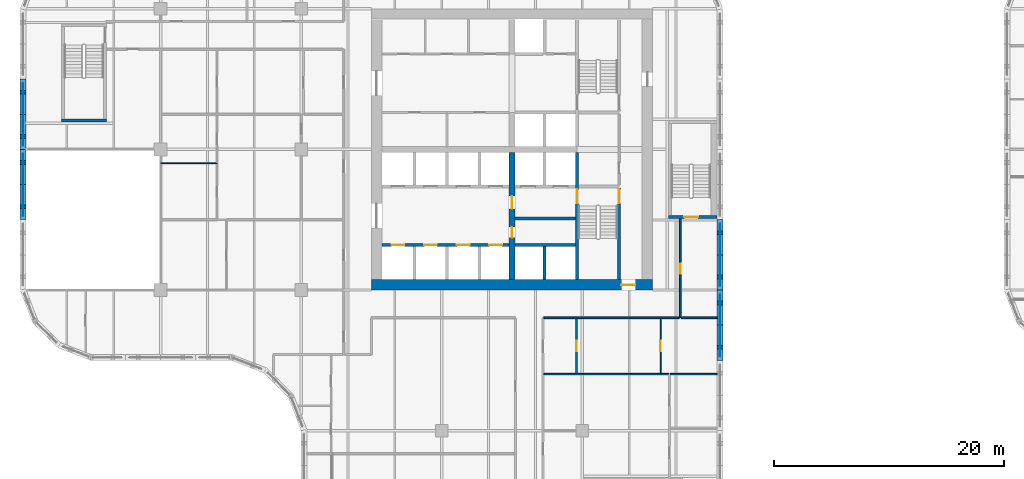
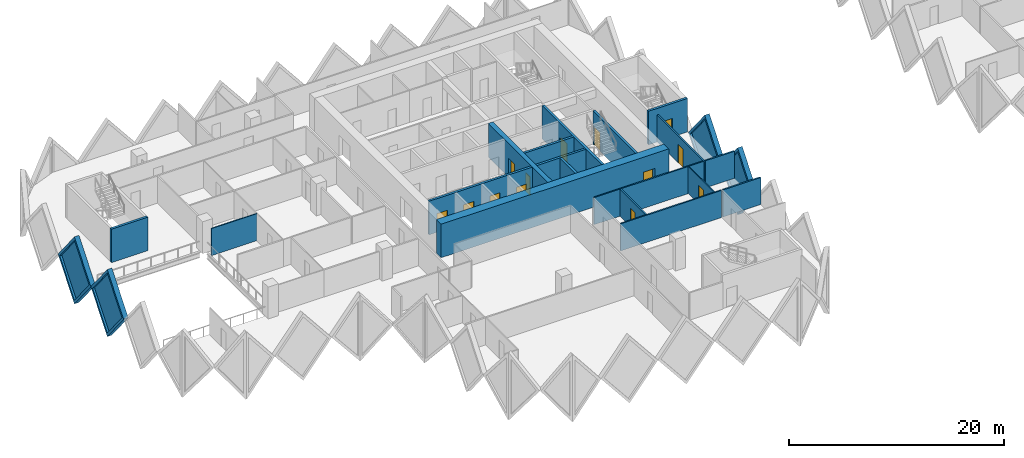
# One storey, part 7 of 19: 22 walls, 13 doors, 4 plates, 17 openings.
"""IFC4 building model written with IfcOpenShell, lengths in metres."""

from ifc_helpers import new_model, si_unit, direction, frame, frame_2d, origin, place, context, subcontext, project, spatial, polyline, rectangle, outline, extrude, faceted_brep, source, transform, mapped, material, layer, layer_set, type_object, element, fill, save


model = new_model("IFC4")

# Units and contexts
model_context = context("Model", 3, precision=1e-05, world=origin(), true_north=direction((0.0, 1.0)))
body_context = subcontext(model_context, "Body", "Model", "MODEL_VIEW")
ifc_project = project(units=[si_unit("LENGTHUNIT", "METRE"), si_unit("AREAUNIT", "SQUARE_METRE"), si_unit("VOLUMEUNIT", "CUBIC_METRE"), si_unit("PLANEANGLEUNIT", "RADIAN"), si_unit("MASSUNIT", "GRAM", prefix="KILO")], contexts=[model_context])

# Site, building, storey
site_placement = place(None, origin())
site = spatial("IfcSite", under=ifc_project, at=site_placement, CompositionType="ELEMENT")
building_placement = place(site_placement, origin())
building = spatial("IfcBuilding", under=site, at=building_placement, Name="Tessera Gate Towers", CompositionType="ELEMENT")
storey_placement = place(building_placement, frame((0.0, 0.0, 33.39990234375)))
storey = spatial("IfcBuildingStorey", under=building, at=storey_placement, Name="L07", CompositionType="ELEMENT", Elevation=33.39990234375)

# Wall, opening, door
ifc_material_1 = material(Name="Concrete C40/50", Category="concrete")
ifc_layer_1 = layer(ifc_material_1, 0.25)
ifc_layer_set_1 = layer_set([ifc_layer_1], Name="CORE ENCLOSURE WALL 250")
wall_type_1 = type_object("IfcWallType", Name="CORE ENCLOSURE WALL 250", PredefinedType="SOLIDWALL", material=ifc_layer_set_1)
wall_1_placement = place(storey_placement, frame((48.35009765625, 36.35009765625, 0.0), z_axis=(0.0, 0.0, 1.0), x_axis=(0.0, -1.0, 0.0)))
wall_1 = element("IfcWall", 1, at=wall_1_placement, inside=storey, type_object=wall_type_1, Name="L07 shaft and stair enclosure wall", PredefinedType="SOLIDWALL", context=body_context, shape_type="SweptSolid", body=[
    extrude(rectangle(XDim=11.050048828125, YDim=0.25, at=frame_2d((5.52490234375, 0.0))), origin(), (0.0, 0.0, 1.0), 3.800048828125),
])
shared_shape_1 = source(origin(), body_context, "Body", "SweptSolid", [
    extrude(rectangle(XDim=1.199951171875, YDim=2.10009765625, at=frame_2d((0.60009765625, 1.050048828125))), frame((0.0, 0.135009765625, 0.0), z_axis=(0.0, -1.0, 0.0), x_axis=(1.0, 0.0, 0.0)), (0.0, 0.0, 1.0), 0.27001953125),
])
opening_1_placement = place(wall_1_placement, frame((3.22509765625, 0.0, 0.0)))
opening_1 = element("IfcOpeningElement", 2, at=opening_1_placement, cuts=wall_1, Name="Opening SD-ST1-1", PredefinedType="OPENING", context=body_context, shape_type="MappedRepresentation", body=[
    mapped(shared_shape_1, transform((0.0, 0.0, 0.0), scale=1.0)),
])
ifc_material_2 = material(Name="Hollow steel fire door", Category="steel")
door_type_1 = type_object("IfcDoorType", Name="CORE DOOR SD 1200x2100", OperationType="NOTDEFINED", PredefinedType="DOOR", material=ifc_material_2)
shared_shape_2 = source(origin(), body_context, "Body", "SweptSolid", [
    extrude(rectangle(XDim=1.199951171875, YDim=2.10009765625, at=frame_2d((0.60009765625, 1.050048828125))), frame((0.0, 0.02490234375, 0.0), z_axis=(0.0, -1.0, 0.0), x_axis=(1.0, 0.0, 0.0)), (0.0, 0.0, 1.0), 0.050048828125),
])
door_1_placement = place(opening_1_placement, origin())
door_1 = element("IfcDoor", 3, at=door_1_placement, inside=storey, type_object=door_type_1, Name="Stair door", OperationType="SINGLE_SWING_LEFT", OverallHeight=2.10009765625, OverallWidth=1.199951171875, PredefinedType="DOOR", context=body_context, shape_type="MappedRepresentation", body=[
    mapped(shared_shape_2, transform((0.0, 0.0, 0.0), scale=1.0)),
])
fill(opening_1, door_1)

# Wall, openings, doors
wall_2_placement = place(storey_placement, frame((31.39990234375, 28.300048828125, 0.0), z_axis=(0.0, 0.0, 1.0), x_axis=(1.0, 0.0, 0.0)))
wall_2 = element("IfcWall", 4, at=wall_2_placement, inside=storey, type_object=wall_type_1, Name="L07 shaft and stair enclosure wall", PredefinedType="SOLIDWALL", context=body_context, shape_type="SweptSolid", body=[
    extrude(rectangle(XDim=11.050048828125, YDim=0.25, at=frame_2d((5.52490234375, 0.0))), origin(), (0.0, 0.0, 1.0), 3.800048828125),
])
shared_shape_3 = source(origin(), body_context, "Body", "SweptSolid", [
    extrude(rectangle(XDim=1.10009765625, YDim=2.10009765625, at=frame_2d((0.550048828125, 1.050048828125))), frame((0.0, 0.135009765625, 0.0), z_axis=(0.0, -1.0, 0.0), x_axis=(1.0, 0.0, 0.0)), (0.0, 0.0, 1.0), 0.27001953125),
])
opening_2_placement = place(wall_2_placement, frame((0.862548828125, 0.0, 0.0)))
opening_2 = element("IfcOpeningElement", 5, at=opening_2_placement, cuts=wall_2, Name="Opening LD-LR1", PredefinedType="OPENING", context=body_context, shape_type="MappedRepresentation", body=[
    mapped(shared_shape_3, transform((0.0, 0.0, 0.0), scale=1.0)),
])
opening_3_placement = place(wall_2_placement, frame((3.6875, 0.0, 0.0)))
opening_3 = element("IfcOpeningElement", 6, at=opening_3_placement, cuts=wall_2, Name="Opening LD-LR2", PredefinedType="OPENING", context=body_context, shape_type="MappedRepresentation", body=[
    mapped(shared_shape_3, transform((0.0, 0.0, 0.0), scale=1.0)),
])
opening_4_placement = place(wall_2_placement, frame((6.512451171875, 0.0, 0.0)))
opening_4 = element("IfcOpeningElement", 7, at=opening_4_placement, cuts=wall_2, Name="Opening LD-LR3", PredefinedType="OPENING", context=body_context, shape_type="MappedRepresentation", body=[
    mapped(shared_shape_3, transform((0.0, 0.0, 0.0), scale=1.0)),
])
opening_5_placement = place(wall_2_placement, frame((9.33740234375, 0.0, 0.0)))
opening_5 = element("IfcOpeningElement", 8, at=opening_5_placement, cuts=wall_2, Name="Opening LD-LR4", PredefinedType="OPENING", context=body_context, shape_type="MappedRepresentation", body=[
    mapped(shared_shape_3, transform((0.0, 0.0, 0.0), scale=1.0)),
])
ifc_material_3 = material(Name="Stainless steel", Category="steel")
door_type_2 = type_object("IfcDoorType", Name="CORE DOOR LD 1100x2100", OperationType="DOUBLE_DOOR_SLIDING", PredefinedType="DOOR", material=ifc_material_3)
shared_shape_4 = source(origin(), body_context, "Body", "SweptSolid", [
    extrude(rectangle(XDim=1.10009765625, YDim=2.10009765625, at=frame_2d((0.550048828125, 1.050048828125))), frame((0.0, 0.02490234375, 0.0), z_axis=(0.0, -1.0, 0.0), x_axis=(1.0, 0.0, 0.0)), (0.0, 0.0, 1.0), 0.050048828125),
])
door_2_placement = place(opening_2_placement, origin())
door_2 = element("IfcDoor", 9, at=door_2_placement, inside=storey, type_object=door_type_2, Name="Landing door LR1 L07", OperationType="DOUBLE_DOOR_SLIDING", OverallHeight=2.10009765625, OverallWidth=1.10009765625, PredefinedType="DOOR", context=body_context, shape_type="MappedRepresentation", body=[
    mapped(shared_shape_4, transform((0.0, 0.0, 0.0), scale=1.0)),
])
fill(opening_2, door_2)
door_3_placement = place(opening_3_placement, origin())
door_3 = element("IfcDoor", 10, at=door_3_placement, inside=storey, type_object=door_type_2, Name="Landing door LR2 L07", OperationType="DOUBLE_DOOR_SLIDING", OverallHeight=2.10009765625, OverallWidth=1.10009765625, PredefinedType="DOOR", context=body_context, shape_type="MappedRepresentation", body=[
    mapped(shared_shape_4, transform((0.0, 0.0, 0.0), scale=1.0)),
])
fill(opening_3, door_3)
door_4_placement = place(opening_4_placement, origin())
door_4 = element("IfcDoor", 11, at=door_4_placement, inside=storey, type_object=door_type_2, Name="Landing door LR3 L07", OperationType="DOUBLE_DOOR_SLIDING", OverallHeight=2.10009765625, OverallWidth=1.10009765625, PredefinedType="DOOR", context=body_context, shape_type="MappedRepresentation", body=[
    mapped(shared_shape_4, transform((0.0, 0.0, 0.0), scale=1.0)),
])
fill(opening_4, door_4)
door_5_placement = place(opening_5_placement, origin())
door_5 = element("IfcDoor", 12, at=door_5_placement, inside=storey, type_object=door_type_2, Name="Landing door LR4 L07", OperationType="DOUBLE_DOOR_SLIDING", OverallHeight=2.10009765625, OverallWidth=1.10009765625, PredefinedType="DOOR", context=body_context, shape_type="MappedRepresentation", body=[
    mapped(shared_shape_4, transform((0.0, 0.0, 0.0), scale=1.0)),
])
fill(opening_5, door_5)

# Wall
wall_3_placement = place(storey_placement, frame((42.949951171875, 28.300048828125, 0.0), z_axis=(0.0, 0.0, 1.0), x_axis=(1.0, 0.0, 0.0)))
element("IfcWall", 13, at=wall_3_placement, inside=storey, type_object=wall_type_1, Name="L07 shaft and stair enclosure wall", PredefinedType="SOLIDWALL", context=body_context, shape_type="SweptSolid", body=[
    extrude(rectangle(XDim=5.275146484375, YDim=0.25, at=frame_2d((2.6376953125, 0.0))), origin(), (0.0, 0.0, 1.0), 3.800048828125),
])

# Wall, opening, door
wall_4_placement = place(storey_placement, frame((52.0, 25.300048828125, 0.0), z_axis=(0.0, 0.0, 1.0), x_axis=(0.0, 1.0, 0.0)))
wall_4 = element("IfcWall", 14, at=wall_4_placement, inside=storey, type_object=wall_type_1, Name="L07 shaft and stair enclosure wall", PredefinedType="SOLIDWALL", context=body_context, shape_type="SweptSolid", body=[
    extrude(rectangle(XDim=7.974853515625, YDim=0.25, at=frame_2d((3.9873046875, 0.0))), origin(), (0.0, 0.0, 1.0), 3.800048828125),
])
opening_6_placement = place(wall_4_placement, frame((6.625, 0.0, 0.0)))
opening_6 = element("IfcOpeningElement", 15, at=opening_6_placement, cuts=wall_4, Name="Opening SD-ST1-2", PredefinedType="OPENING", context=body_context, shape_type="MappedRepresentation", body=[
    mapped(shared_shape_1, transform((0.0, 0.0, 0.0), scale=1.0)),
])
door_6_placement = place(opening_6_placement, origin())
door_6 = element("IfcDoor", 16, at=door_6_placement, inside=storey, type_object=door_type_1, Name="Stair door", OperationType="SINGLE_SWING_RIGHT", OverallHeight=2.10009765625, OverallWidth=1.199951171875, PredefinedType="DOOR", context=body_context, shape_type="MappedRepresentation", body=[
    mapped(shared_shape_2, transform((0.0, 0.0, 0.0), scale=1.0)),
])
fill(opening_6, door_6)

# Walls
wall_5_placement = place(storey_placement, frame((42.949951171875, 30.60009765625, 0.0), z_axis=(0.0, 0.0, 1.0), x_axis=(1.0, 0.0, 0.0)))
element("IfcWall", 17, at=wall_5_placement, inside=storey, type_object=wall_type_1, Name="L07 shaft and stair enclosure wall", PredefinedType="SOLIDWALL", context=body_context, shape_type="SweptSolid", body=[
    extrude(rectangle(XDim=5.275146484375, YDim=0.25, at=frame_2d((2.6376953125, 0.0))), origin(), (0.0, 0.0, 1.0), 3.800048828125),
])
wall_6_placement = place(storey_placement, frame((45.52490234375, 25.300048828125, 0.0), z_axis=(0.0, 0.0, 1.0), x_axis=(0.0, 1.0, 0.0)))
element("IfcWall", 18, at=wall_6_placement, inside=storey, type_object=wall_type_1, Name="L07 shaft and stair enclosure wall", PredefinedType="SOLIDWALL", context=body_context, shape_type="SweptSolid", body=[
    extrude(rectangle(XDim=2.875, YDim=0.25, at=frame_2d((1.4375, 0.0))), origin(), (0.0, 0.0, 1.0), 3.800048828125),
])
wall_7_placement = place(storey_placement, frame((7.5, 39.125, 0.0), z_axis=(0.0, 0.0, 1.0), x_axis=(-1.0, 0.0, 0.0)))
element("IfcWall", 19, at=wall_7_placement, inside=storey, type_object=wall_type_1, Name="L07 ST3 enclosure wall", PredefinedType="SOLIDWALL", context=body_context, shape_type="SweptSolid", body=[
    extrude(rectangle(XDim=3.89990234375, YDim=0.25, at=frame_2d((1.949951171875, 0.0))), origin(), (0.0, 0.0, 1.0), 3.800048828125),
])

# Wall, opening, door
wall_8_placement = place(storey_placement, frame((60.5, 30.72509765625, 0.0), z_axis=(0.0, 0.0, 1.0), x_axis=(-1.0, 0.0, 0.0)))
wall_8 = element("IfcWall", 20, at=wall_8_placement, inside=storey, type_object=wall_type_1, Name="L07 ST5 enclosure wall", PredefinedType="SOLIDWALL", context=body_context, shape_type="SweptSolid", body=[
    extrude(rectangle(XDim=4.199951171875, YDim=0.25, at=frame_2d((2.10009765625, 0.0))), origin(), (0.0, 0.0, 1.0), 3.800048828125),
])
opening_7_placement = place(wall_8_placement, frame((1.64990234375, 0.0, 0.0)))
opening_7 = element("IfcOpeningElement", 21, at=opening_7_placement, cuts=wall_8, Name="Opening SD-ST5-1", PredefinedType="OPENING", context=body_context, shape_type="MappedRepresentation", body=[
    mapped(shared_shape_1, transform((0.0, 0.0, 0.0), scale=1.0)),
])
door_7_placement = place(opening_7_placement, origin())
door_7 = element("IfcDoor", 22, at=door_7_placement, inside=storey, type_object=door_type_1, Name="Stair door", OperationType="SINGLE_SWING_RIGHT", OverallHeight=2.10009765625, OverallWidth=1.199951171875, PredefinedType="DOOR", context=body_context, shape_type="MappedRepresentation", body=[
    mapped(shared_shape_2, transform((0.0, 0.0, 0.0), scale=1.0)),
])
fill(opening_7, door_7)

ifc_material_4 = material(Name="Concrete C70/85", Category="concrete")
ifc_layer_2 = layer(ifc_material_4, 0.89990234375)
ifc_layer_set_2 = layer_set([ifc_layer_2], Name="CORE SHEAR WALL 900 C70/85")
wall_type_2 = type_object("IfcWallType", Name="CORE SHEAR WALL 900 C70/85", PredefinedType="SHEAR", material=ifc_layer_set_2)
wall_9_placement = place(storey_placement, frame((54.89990234375, 24.85009765625, 0.0), z_axis=(0.0, 0.0, 1.0), x_axis=(-1.0, 0.0, 0.0)))
wall_9 = element("IfcWall", 23, at=wall_9_placement, inside=storey, type_object=wall_type_2, Name="Core wall S L07", PredefinedType="SHEAR", context=body_context, shape_type="SweptSolid", body=[
    extrude(rectangle(XDim=24.39990234375, YDim=0.89990234375, at=frame_2d((12.199951171875, 0.0))), origin(), (0.0, 0.0, 1.0), 3.800048828125),
])
shared_shape_5 = source(origin(), body_context, "Body", "SweptSolid", [
    extrude(rectangle(XDim=1.199951171875, YDim=2.10009765625, at=frame_2d((0.60009765625, 1.050048828125))), frame((0.0, 0.4599609375, 0.0), z_axis=(0.0, -1.0, 0.0), x_axis=(1.0, 0.0, 0.0)), (0.0, 0.0, 1.0), 0.919921875),
])
opening_8_placement = place(wall_9_placement, frame((1.5, 0.0, 0.0)))
opening_8 = element("IfcOpeningElement", 24, at=opening_8_placement, cuts=wall_9, Name="Opening ED-T1-07-01", PredefinedType="OPENING", context=body_context, shape_type="MappedRepresentation", body=[
    mapped(shared_shape_5, transform((0.0, 0.0, 0.0), scale=1.0)),
])
ifc_material_5 = material(Name="Hollow steel fire door", Category="steel")
door_type_3 = type_object("IfcDoorType", Name="CORE DOOR ED 1200x2100", OperationType="NOTDEFINED", PredefinedType="DOOR", material=ifc_material_5)
door_8_placement = place(opening_8_placement, origin())
door_8 = element("IfcDoor", 25, at=door_8_placement, inside=storey, type_object=door_type_3, Name="Core exit door", OperationType="SINGLE_SWING_LEFT", OverallHeight=2.10009765625, OverallWidth=1.199951171875, PredefinedType="DOOR", context=body_context, shape_type="MappedRepresentation", body=[
    mapped(shared_shape_2, transform((0.0, 0.0, 0.0), scale=1.0)),
])
fill(opening_8, door_8)

# Wall, openings, doors
ifc_material_6 = material(Name="Concrete C70/85", Category="concrete")
ifc_layer_3 = layer(ifc_material_6, 0.5)
ifc_layer_set_3 = layer_set([ifc_layer_3], Name="CORE SPINE WALL 500 C70/85")
wall_type_3 = type_object("IfcWallType", Name="CORE SPINE WALL 500 C70/85", PredefinedType="SHEAR", material=ifc_layer_set_3)
wall_10_placement = place(storey_placement, frame((42.699951171875, 36.35009765625, 0.0), z_axis=(0.0, 0.0, 1.0), x_axis=(0.0, -1.0, 0.0)))
wall_10 = element("IfcWall", 26, at=wall_10_placement, inside=storey, type_object=wall_type_3, Name="Core wall spine L07", PredefinedType="SHEAR", context=body_context, shape_type="SweptSolid", body=[
    extrude(rectangle(XDim=11.050048828125, YDim=0.5, at=frame_2d((5.52490234375, 0.0))), origin(), (0.0, 0.0, 1.0), 3.800048828125),
])
shared_shape_6 = source(origin(), body_context, "Body", "SweptSolid", [
    extrude(rectangle(XDim=0.89990234375, YDim=2.10009765625, at=frame_2d((0.449951171875, 1.050048828125))), frame((0.0, 0.260009765625, 0.0), z_axis=(0.0, -1.0, 0.0), x_axis=(1.0, 0.0, 0.0)), (0.0, 0.0, 1.0), 0.52001953125),
])
opening_9_placement = place(wall_10_placement, frame((6.5, 0.0, 0.0)))
opening_9 = element("IfcOpeningElement", 27, at=opening_9_placement, cuts=wall_10, Name="Opening RD-T1-07-05", PredefinedType="OPENING", context=body_context, shape_type="MappedRepresentation", body=[
    mapped(shared_shape_6, transform((0.0, 0.0, 0.0), scale=1.0)),
])
shared_shape_7 = source(origin(), body_context, "Body", "SweptSolid", [
    extrude(rectangle(XDim=1.10009765625, YDim=2.10009765625, at=frame_2d((0.550048828125, 1.050048828125))), frame((0.0, 0.260009765625, 0.0), z_axis=(0.0, -1.0, 0.0), x_axis=(1.0, 0.0, 0.0)), (0.0, 0.0, 1.0), 0.52001953125),
])
opening_10_placement = place(wall_10_placement, frame((3.800048828125, 0.0, 0.0)))
opening_10 = element("IfcOpeningElement", 28, at=opening_10_placement, cuts=wall_10, Name="Opening FD-T1-07-06", PredefinedType="OPENING", context=body_context, shape_type="MappedRepresentation", body=[
    mapped(shared_shape_7, transform((0.0, 0.0, 0.0), scale=1.0)),
])
ifc_material_7 = material(Name="Hollow steel fire door", Category="steel")
door_type_4 = type_object("IfcDoorType", Name="CORE DOOR RD 900x2100", OperationType="NOTDEFINED", PredefinedType="DOOR", material=ifc_material_7)
shared_shape_8 = source(origin(), body_context, "Body", "SweptSolid", [
    extrude(rectangle(XDim=0.89990234375, YDim=2.10009765625, at=frame_2d((0.449951171875, 1.050048828125))), frame((0.0, 0.02490234375, 0.0), z_axis=(0.0, -1.0, 0.0), x_axis=(1.0, 0.0, 0.0)), (0.0, 0.0, 1.0), 0.050048828125),
])
door_9_placement = place(opening_9_placement, origin())
door_9 = element("IfcDoor", 29, at=door_9_placement, inside=storey, type_object=door_type_4, Name="Core room door", OperationType="SINGLE_SWING_RIGHT", OverallHeight=2.10009765625, OverallWidth=0.89990234375, PredefinedType="DOOR", context=body_context, shape_type="MappedRepresentation", body=[
    mapped(shared_shape_8, transform((0.0, 0.0, 0.0), scale=1.0)),
])
fill(opening_9, door_9)
ifc_material_8 = material(Name="Hollow steel fire door", Category="steel")
door_type_5 = type_object("IfcDoorType", Name="CORE DOOR FD 1100x2100", OperationType="NOTDEFINED", PredefinedType="DOOR", material=ifc_material_8)
door_10_placement = place(opening_10_placement, origin())
door_10 = element("IfcDoor", 30, at=door_10_placement, inside=storey, type_object=door_type_5, Name="Fire-fighting lobby door", OperationType="SINGLE_SWING_LEFT", OverallHeight=2.10009765625, OverallWidth=1.10009765625, PredefinedType="DOOR", context=body_context, shape_type="MappedRepresentation", body=[
    mapped(shared_shape_4, transform((0.0, 0.0, 0.0), scale=1.0)),
])
fill(opening_10, door_10)

# Wall
ifc_material_9 = material(Name="Gypsum board on steel studs, mineral wool", Category="steel")
ifc_layer_4 = layer(ifc_material_9, 0.14990234375)
ifc_layer_set_4 = layer_set([ifc_layer_4], Name="CORRIDOR WALL 150")
wall_type_4 = type_object("IfcWallType", Name="CORRIDOR WALL 150", PredefinedType="PARTITIONING", material=ifc_layer_set_4)
wall_11_placement = place(storey_placement, frame((45.47607421875, 22.0, 0.0), z_axis=(0.0, 0.0, 1.0), x_axis=(1.0, 0.0, 0.0)))
element("IfcWall", 31, at=wall_11_placement, inside=storey, type_object=wall_type_4, Name="T1-L07-PW-025", PredefinedType="PARTITIONING", context=body_context, shape_type="SweptSolid", body=[
    extrude(rectangle(XDim=11.748046875, YDim=0.14990234375, at=frame_2d((5.8740234375, 0.0))), origin(), (0.0, 0.0, 1.0), 3.067138671875),
])

# Wall, opening, door
wall_12_placement = place(storey_placement, frame((57.300048828125, 30.60009765625, 0.0), z_axis=(0.0, 0.0, 1.0), x_axis=(0.0, -1.0, 0.0)))
wall_12 = element("IfcWall", 32, at=wall_12_placement, inside=storey, type_object=wall_type_4, Name="T1-L07-PW-026", PredefinedType="PARTITIONING", context=body_context, shape_type="SweptSolid", body=[
    extrude(rectangle(XDim=8.60009765625, YDim=0.14990234375, at=frame_2d((4.300048828125, 0.0))), origin(), (0.0, 0.0, 1.0), 3.067138671875),
])
shared_shape_9 = source(origin(), body_context, "Body", "SweptSolid", [
    extrude(rectangle(XDim=0.89990234375, YDim=2.10009765625, at=frame_2d((0.449951171875, 1.050048828125))), frame((0.0, 0.0849609375, 0.0), z_axis=(0.0, -1.0, 0.0), x_axis=(1.0, 0.0, 0.0)), (0.0, 0.0, 1.0), 0.169921875),
])
opening_11_placement = place(wall_12_placement, frame((3.89990234375, 0.0, 0.0)))
opening_11 = element("IfcOpeningElement", 33, at=opening_11_placement, cuts=wall_12, Name="Opening D890FD60-A02-05", PredefinedType="OPENING", context=body_context, shape_type="MappedRepresentation", body=[
    mapped(shared_shape_9, transform((0.0, 0.0, 0.0), scale=1.0)),
])
ifc_material_10 = material(Name="Timber door leaf in steel frame", Category="steel")
door_type_6 = type_object("IfcDoorType", Name="CORRIDOR DOOR 900 FD60", OperationType="NOTDEFINED", PredefinedType="DOOR", material=ifc_material_10)
door_11_placement = place(opening_11_placement, origin())
door_11 = element("IfcDoor", 34, at=door_11_placement, inside=storey, type_object=door_type_6, Name="T1-L07-PD-025", OperationType="SINGLE_SWING_RIGHT", OverallHeight=2.10009765625, OverallWidth=0.89990234375, PredefinedType="DOOR", context=body_context, shape_type="MappedRepresentation", body=[
    mapped(shared_shape_8, transform((0.0, 0.0, 0.0), scale=1.0)),
])
fill(opening_11, door_11)

ifc_material_11 = material(Name="Gypsum board on steel studs", Category="steel")
ifc_layer_5 = layer(ifc_material_11, 0.10009765625)
ifc_layer_set_5 = layer_set([ifc_layer_5], Name="PARTITION 100")
wall_type_5 = type_object("IfcWallType", Name="PARTITION 100", PredefinedType="PARTITIONING", material=ifc_layer_set_5)
wall_13_placement = place(storey_placement, frame((55.60009765625, 21.924072265625, 0.0), z_axis=(0.0, 0.0, 1.0), x_axis=(0.0, -1.0, 0.0)))
wall_13 = element("IfcWall", 35, at=wall_13_placement, inside=storey, type_object=wall_type_5, Name="T1-L07-PW-018", PredefinedType="PARTITIONING", context=body_context, shape_type="SweptSolid", body=[
    extrude(rectangle(XDim=4.748046875, YDim=0.10009765625, at=frame_2d((2.3740234375, 0.0))), origin(), (0.0, 0.0, 1.0), 3.067138671875),
])
shared_shape_10 = source(origin(), body_context, "Body", "SweptSolid", [
    extrude(rectangle(XDim=0.89990234375, YDim=2.10009765625, at=frame_2d((0.449951171875, 1.050048828125))), frame((0.0, 0.06005859375, 0.0), z_axis=(0.0, -1.0, 0.0), x_axis=(1.0, 0.0, 0.0)), (0.0, 0.0, 1.0), 0.1201171875),
])
opening_12_placement = place(wall_13_placement, frame((1.947998046875, 0.0, 0.0)))
opening_12 = element("IfcOpeningElement", 36, at=opening_12_placement, cuts=wall_13, Name="Opening D190-A02-09", PredefinedType="OPENING", context=body_context, shape_type="MappedRepresentation", body=[
    mapped(shared_shape_10, transform((0.0, 0.0, 0.0), scale=1.0)),
])
ifc_material_12 = material(Name="Timber door leaf in steel frame", Category="steel")
door_type_7 = type_object("IfcDoorType", Name="INTERNAL DOOR 900 NOT RATED", OperationType="NOTDEFINED", PredefinedType="DOOR", material=ifc_material_12)
door_12_placement = place(opening_12_placement, origin())
door_12 = element("IfcDoor", 37, at=door_12_placement, inside=storey, type_object=door_type_7, Name="T1-L07-PD-011", OperationType="SINGLE_SWING_RIGHT", OverallHeight=2.10009765625, OverallWidth=0.89990234375, PredefinedType="DOOR", context=body_context, shape_type="MappedRepresentation", body=[
    mapped(shared_shape_8, transform((0.0, 0.0, 0.0), scale=1.0)),
])
fill(opening_12, door_12)

# Walls
wall_14_placement = place(storey_placement, frame((12.199951171875, 35.39501953125, 0.0), z_axis=(0.0, 0.0, 1.0), x_axis=(1.0, 0.0, 0.0)))
element("IfcWall", 38, at=wall_14_placement, inside=storey, type_object=wall_type_5, Name="T1-L07-PW-038", PredefinedType="PARTITIONING", context=body_context, shape_type="SweptSolid", body=[
    extrude(rectangle(XDim=4.900146484375, YDim=0.10009765625, at=frame_2d((2.4501953125, 0.0))), origin(), (0.0, 0.0, 1.0), 3.067138671875),
])
ifc_material_13 = material(Name="Gypsum board on steel studs, mineral wool", Category="steel")
ifc_layer_6 = layer(ifc_material_13, 0.14990234375)
ifc_layer_set_6 = layer_set([ifc_layer_6], Name="TENANCY WALL 150")
wall_type_6 = type_object("IfcWallType", Name="TENANCY WALL 150", PredefinedType="PARTITIONING", material=ifc_layer_set_6)
wall_15_placement = place(storey_placement, frame((45.47607421875, 17.10009765625, 0.0), z_axis=(0.0, 0.0, 1.0), x_axis=(1.0, 0.0, 0.0)))
element("IfcWall", 39, at=wall_15_placement, inside=storey, type_object=wall_type_6, Name="T1-L07-PW-015", PredefinedType="PARTITIONING", context=body_context, shape_type="SweptSolid", body=[
    extrude(rectangle(XDim=10.822998046875, YDim=0.14990234375, at=frame_2d((5.41162109375, 0.0))), origin(), (0.0, 0.0, 1.0), 3.067138671875),
])
wall_16_placement = place(storey_placement, frame((56.450927734375, 17.10009765625, 0.0), z_axis=(0.0, 0.0, 1.0), x_axis=(1.0, 0.0, 0.0)))
element("IfcWall", 40, at=wall_16_placement, inside=storey, type_object=wall_type_6, Name="T1-L07-PW-016", PredefinedType="PARTITIONING", context=body_context, shape_type="SweptSolid", body=[
    extrude(rectangle(XDim=4.049072265625, YDim=0.14990234375, at=frame_2d((2.0244140625, 0.0))), origin(), (0.0, 0.0, 1.0), 3.067138671875),
])

# Wall, opening, door
wall_17_placement = place(storey_placement, frame((48.300048828125, 21.924072265625, 0.0), z_axis=(0.0, 0.0, 1.0), x_axis=(0.0, -1.0, 0.0)))
wall_17 = element("IfcWall", 41, at=wall_17_placement, inside=storey, type_object=wall_type_6, Name="T1-L07-PW-017", PredefinedType="PARTITIONING", context=body_context, shape_type="SweptSolid", body=[
    extrude(rectangle(XDim=4.748046875, YDim=0.14990234375, at=frame_2d((2.3740234375, 0.0))), origin(), (0.0, 0.0, 1.0), 3.067138671875),
])
opening_13_placement = place(wall_17_placement, frame((1.947998046875, 0.0, 0.0)))
opening_13 = element("IfcOpeningElement", 42, at=opening_13_placement, cuts=wall_17, Name="Opening D190-A02-08", PredefinedType="OPENING", context=body_context, shape_type="MappedRepresentation", body=[
    mapped(shared_shape_9, transform((0.0, 0.0, 0.0), scale=1.0)),
])
door_13_placement = place(opening_13_placement, origin())
door_13 = element("IfcDoor", 43, at=door_13_placement, inside=storey, type_object=door_type_7, Name="T1-L07-PD-010", OperationType="SINGLE_SWING_RIGHT", OverallHeight=2.10009765625, OverallWidth=0.89990234375, PredefinedType="DOOR", context=body_context, shape_type="MappedRepresentation", body=[
    mapped(shared_shape_8, transform((0.0, 0.0, 0.0), scale=1.0)),
])
fill(opening_13, door_13)

# Wall
wall_18_placement = place(storey_placement, frame((57.3759765625, 22.0, 0.0), z_axis=(0.0, 0.0, 1.0), x_axis=(1.0, 0.0, 0.0)))
element("IfcWall", 44, at=wall_18_placement, inside=storey, type_object=wall_type_6, Name="T1-L07-PW-027", PredefinedType="PARTITIONING", context=body_context, shape_type="SweptSolid", body=[
    extrude(rectangle(XDim=3.1240234375, YDim=0.14990234375, at=frame_2d((1.56201171875, 0.0))), origin(), (0.0, 0.0, 1.0), 3.067138671875),
])

# Wall, opening, plate
ifc_material_14 = material(Name="Precast concrete C60/75 white", Category="concrete")
ifc_layer_7 = layer(ifc_material_14, 0.5)
ifc_layer_set_7 = layer_set([ifc_layer_7], Name="TS1 tessera")
wall_type_7 = type_object("IfcWallType", Name="TS1 tessera", PredefinedType="SOLIDWALL", material=ifc_layer_set_7)
shared_shape_11 = source(origin(), body_context, "Body", "Brep", [
    faceted_brep([(3.050048828125, -0.25, 0.0), (6.099853515625, -0.25, 3.799560546875), (6.099853515625, -0.25, 3.800048828125), (3.050048828125, -0.25, 7.599853515625), (0.0, -0.25, 3.7998046875), (0.0, 0.25, 3.7998046875), (3.050048828125, 0.25, 7.599853515625), (6.099853515625, 0.25, 3.800048828125), (6.099853515625, 0.25, 3.799560546875), (3.050048828125, 0.25, 0.0)], [[[0, 1, 2, 3, 4]], [[5, 6, 7, 8, 9]], [[9, 8, 1, 0]], [[7, 6, 3, 2]], [[6, 5, 4, 3]], [[5, 9, 0, 4]], [[1, 8, 7, 2]]]),
])
wall_19_placement = place(storey_placement, frame((60.75, 18.300048828125, -3.7998046875), z_axis=(0.0, 0.0, 1.0), x_axis=(0.0, 1.0, 0.0)))
wall_19 = element("IfcWall", 45, at=wall_19_placement, inside=storey, type_object=wall_type_7, Name="Precast tessera T1 TS1-0051", PredefinedType="SOLIDWALL", context=body_context, shape_type="MappedRepresentation", body=[
    mapped(shared_shape_11, transform((0.0, 0.0, 0.0), scale=1.0)),
])
shared_shape_12 = source(origin(), body_context, "Body", "SweptSolid", [
    extrude(outline(polyline([(3.050048828125, 0.3994140625), (5.779541015625, 3.7998046875), (3.050048828125, 7.200439453125), (0.320556640625, 3.7998046875), (3.050048828125, 0.3994140625)])), frame((0.0, 0.260009765625, 0.0), z_axis=(0.0, -1.0, 0.0), x_axis=(1.0, 0.0, 0.0)), (0.0, 0.0, 1.0), 0.52001953125),
])
opening_14_placement = place(wall_19_placement, origin())
opening_14 = element("IfcOpeningElement", 46, at=opening_14_placement, cuts=wall_19, Name="Opening T1-PL2-0105", PredefinedType="OPENING", context=body_context, shape_type="MappedRepresentation", body=[
    mapped(shared_shape_12, transform((0.0, 0.0, 0.0), scale=1.0)),
])
ifc_material_15 = material(Name="Low-e laminated glass", Category="glass")
ifc_layer_8 = layer(ifc_material_15, 0.06005859375)
ifc_layer_set_8 = layer_set([ifc_layer_8], Name="PL2 rhombic pane")
plate_type = type_object("IfcPlateType", Name="PL2 rhombic pane", PredefinedType="SHEET", material=ifc_layer_set_8)
shared_shape_13 = source(origin(), body_context, "Body", "SweptSolid", [
    extrude(outline(polyline([(3.050048828125, 0.3994140625), (5.779541015625, 3.7998046875), (3.050048828125, 7.200439453125), (0.320556640625, 3.7998046875), (3.050048828125, 0.3994140625)])), frame((0.0, 0.030029296875, 0.0), z_axis=(0.0, -1.0, 0.0), x_axis=(1.0, 0.0, 0.0)), (0.0, 0.0, 1.0), 0.06005859375),
])
plate_1_placement = place(opening_14_placement, origin())
plate_1 = element("IfcPlate", 47, at=plate_1_placement, inside=storey, type_object=plate_type, Name="Glass pane T1 PL2-0105", PredefinedType="SHEET", context=body_context, shape_type="MappedRepresentation", body=[
    mapped(shared_shape_13, transform((0.0, 0.0, 0.0), scale=1.0)),
])
fill(opening_14, plate_1)

wall_20_placement = place(storey_placement, frame((0.25, 42.699951171875, -3.7998046875), z_axis=(0.0, 0.0, 1.0), x_axis=(0.0, -1.0, 0.0)))
wall_20 = element("IfcWall", 48, at=wall_20_placement, inside=storey, type_object=wall_type_7, Name="Precast tessera T1 TS1-0064", PredefinedType="SOLIDWALL", context=body_context, shape_type="MappedRepresentation", body=[
    mapped(shared_shape_11, transform((0.0, 0.0, 0.0), scale=1.0)),
])
opening_15_placement = place(wall_20_placement, origin())
opening_15 = element("IfcOpeningElement", 49, at=opening_15_placement, cuts=wall_20, Name="Opening T1-PL2-0126", PredefinedType="OPENING", context=body_context, shape_type="MappedRepresentation", body=[
    mapped(shared_shape_12, transform((0.0, 0.0, 0.0), scale=1.0)),
])
plate_2_placement = place(opening_15_placement, origin())
plate_2 = element("IfcPlate", 50, at=plate_2_placement, inside=storey, type_object=plate_type, Name="Glass pane T1 PL2-0126", PredefinedType="SHEET", context=body_context, shape_type="MappedRepresentation", body=[
    mapped(shared_shape_13, transform((0.0, 0.0, 0.0), scale=1.0)),
])
fill(opening_15, plate_2)

shared_shape_14 = source(origin(), body_context, "Body", "SweptSolid", [
    extrude(outline(polyline([(3.050048828125, 0.0), (6.10009765625, 3.7998046875), (3.050048828125, 7.599853515625), (0.0, 3.7998046875), (3.050048828125, 0.0)])), frame((0.0, 0.25, 0.0), z_axis=(0.0, -1.0, 0.0), x_axis=(1.0, 0.0, 0.0)), (0.0, 0.0, 1.0), 0.5),
])
wall_21_placement = place(storey_placement, frame((60.75, 24.39990234375, -3.7998046875), z_axis=(0.0, 0.0, 1.0), x_axis=(0.0, 1.0, 0.0)))
wall_21 = element("IfcWall", 51, at=wall_21_placement, inside=storey, type_object=wall_type_7, Name="Precast tessera T1 TS1-0052", PredefinedType="SOLIDWALL", context=body_context, shape_type="MappedRepresentation", body=[
    mapped(shared_shape_14, transform((0.0, 0.0, 0.0), scale=1.0)),
])
opening_16_placement = place(wall_21_placement, origin())
opening_16 = element("IfcOpeningElement", 52, at=opening_16_placement, cuts=wall_21, Name="Opening T1-PL2-0106", PredefinedType="OPENING", context=body_context, shape_type="MappedRepresentation", body=[
    mapped(shared_shape_12, transform((0.0, 0.0, 0.0), scale=1.0)),
])
plate_3_placement = place(opening_16_placement, origin())
plate_3 = element("IfcPlate", 53, at=plate_3_placement, inside=storey, type_object=plate_type, Name="Glass pane T1 PL2-0106", PredefinedType="SHEET", context=body_context, shape_type="MappedRepresentation", body=[
    mapped(shared_shape_13, transform((0.0, 0.0, 0.0), scale=1.0)),
])
fill(opening_16, plate_3)

wall_22_placement = place(storey_placement, frame((0.25, 36.60009765625, -3.7998046875), z_axis=(0.0, 0.0, 1.0), x_axis=(0.0, -1.0, 0.0)))
wall_22 = element("IfcWall", 54, at=wall_22_placement, inside=storey, type_object=wall_type_7, Name="Precast tessera T1 TS1-0065", PredefinedType="SOLIDWALL", context=body_context, shape_type="MappedRepresentation", body=[
    mapped(shared_shape_14, transform((0.0, 0.0, 0.0), scale=1.0)),
])
opening_17_placement = place(wall_22_placement, origin())
opening_17 = element("IfcOpeningElement", 55, at=opening_17_placement, cuts=wall_22, Name="Opening T1-PL2-0127", PredefinedType="OPENING", context=body_context, shape_type="MappedRepresentation", body=[
    mapped(shared_shape_12, transform((0.0, 0.0, 0.0), scale=1.0)),
])
plate_4_placement = place(opening_17_placement, origin())
plate_4 = element("IfcPlate", 56, at=plate_4_placement, inside=storey, type_object=plate_type, Name="Glass pane T1 PL2-0127", PredefinedType="SHEET", context=body_context, shape_type="MappedRepresentation", body=[
    mapped(shared_shape_13, transform((0.0, 0.0, 0.0), scale=1.0)),
])
fill(opening_17, plate_4)

save(model, "model.ifc")
